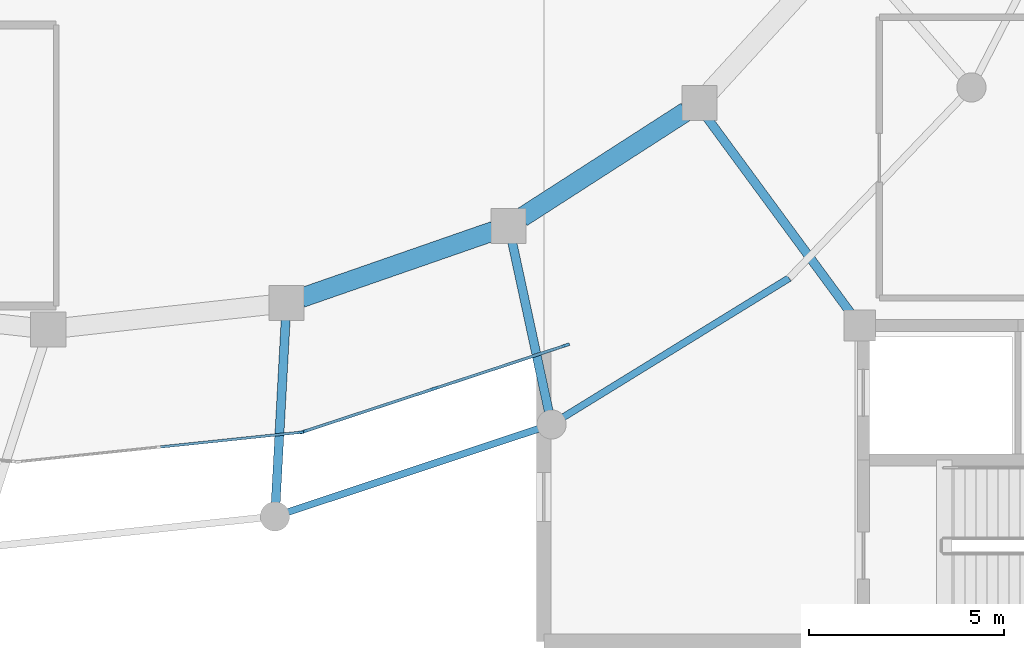
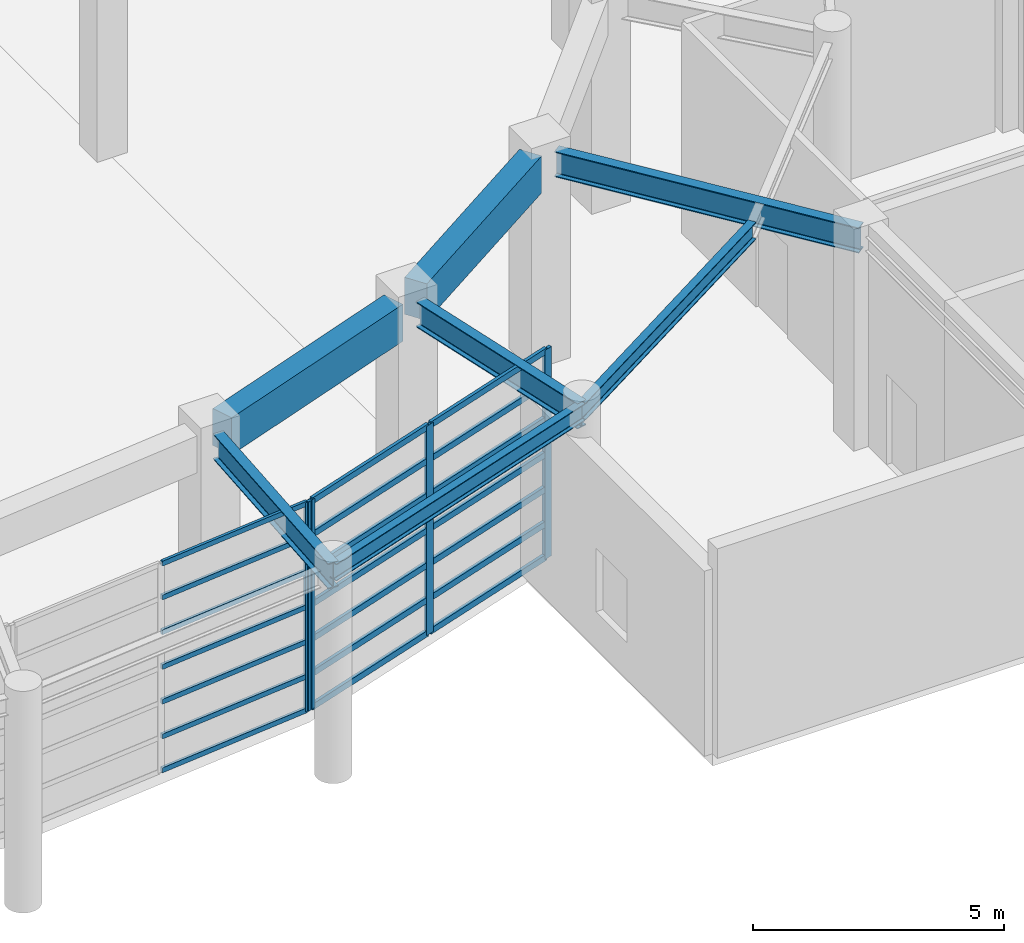
# One storey, part 4 of 52: 25 members, 7 beams, 2 elements without a shape of their own.
"""IFC4 building model written with IfcOpenShell, lengths in metres."""

from ifc_helpers import new_model, si_unit, direction, frame, origin, origin_2d, place, context, subcontext, project, spatial, rectangle, i_section, extrude, material, material_profile, profile_set, type_object, element, aggregate, save


model = new_model("IFC4")

# Units and contexts
model_context = context("Model", 3, precision=1e-05, world=origin(), true_north=direction((0.0, 1.0)))
body_context = subcontext(model_context, "Body", "Model", "MODEL_VIEW")
ifc_project = project(units=[si_unit("LENGTHUNIT", "METRE"), si_unit("AREAUNIT", "SQUARE_METRE"), si_unit("VOLUMEUNIT", "CUBIC_METRE"), si_unit("PLANEANGLEUNIT", "RADIAN"), si_unit("MASSUNIT", "GRAM", prefix="KILO")], contexts=[model_context])

# Site, building, storey
site_placement = place(None, origin())
site = spatial("IfcSite", under=ifc_project, at=site_placement, CompositionType="ELEMENT")
building_placement = place(site_placement, origin())
building = spatial("IfcBuilding", under=site, at=building_placement, Name="Parian Resonance Hall", CompositionType="ELEMENT")
storey_placement = place(building_placement, origin())
storey = spatial("IfcBuildingStorey", under=building, at=storey_placement, Name="L00", CompositionType="ELEMENT", Elevation=0.0)

# Beams
ifc_material_1 = material(Name="Concrete C40/50", Category="concrete")
ifc_material_profile_1 = material_profile(ifc_material_1, rectangle(XDim=0.5, YDim=0.89990234375, at=origin_2d()), Name="RC-BM-500x900")
ifc_profile_set_1 = profile_set([ifc_material_profile_1], Name="Concrete C40/50")
beam_type_1 = type_object("IfcBeamType", Name="BM-RC500x900", PredefinedType="USERDEFINED", material=ifc_profile_set_1)
beam_1_placement = place(storey_placement, frame((50.48583984375, 25.006103515625, 4.679931640625), z_axis=(0.944593815742, 0.328241562362, 0.0), x_axis=(-0.328241562362, 0.944593815742, 0.0)))
element("IfcBeam", 1, at=beam_1_placement, inside=storey, type_object=beam_type_1, Name="Concert hall drum ring beam L00-20", ObjectType="GIRDER", PredefinedType="USERDEFINED", context=body_context, shape_type="SweptSolid", body=[
    extrude(rectangle(XDim=0.5, YDim=0.89990234375, at=origin_2d()), origin(), (0.0, 0.0, 1.0), 5.225830078125),
])
beam_2_placement = place(storey_placement, frame((56.13623046875, 27.069091796875, 4.679931640625), z_axis=(0.840822266108, 0.541311293819, 0.0), x_axis=(-0.541311293819, 0.840822266108, 0.0)))
element("IfcBeam", 2, at=beam_2_placement, inside=storey, type_object=beam_type_1, Name="Concert hall drum ring beam L00-21", ObjectType="GIRDER", PredefinedType="USERDEFINED", context=body_context, shape_type="SweptSolid", body=[
    extrude(rectangle(XDim=0.5, YDim=0.89990234375, at=origin_2d()), origin(), (0.0, 0.0, 1.0), 5.012939453125),
])
ifc_material_2 = material(Name="Steel S355", Category="steel")
ifc_material_profile_2 = material_profile(ifc_material_2, i_section(OverallWidth=0.180908203125, OverallDepth=0.4169921875, WebThickness=0.010986328125, FlangeThickness=0.018310546875, FilletRadius=0.01513671875, at=origin_2d()), Name="W410x85")
ifc_profile_set_2 = profile_set([ifc_material_profile_2], Name="Steel S355")
beam_type_2 = type_object("IfcBeamType", Name="BM-W410x85", PredefinedType="SPANDREL", material=ifc_profile_set_2)
beam_3_placement = place(storey_placement, frame((49.809326171875, 19.404296875, 4.92138671875), z_axis=(0.948928062294, 0.315492523827, 0.0), x_axis=(-0.315492523827, 0.948928062294, 0.0)))
element("IfcBeam", 3, at=beam_3_placement, inside=storey, type_object=beam_type_2, Name="Elliptical R1 perimeter spandrel beam 20", PredefinedType="SPANDREL", context=body_context, shape_type="SweptSolid", body=[
    extrude(i_section(OverallWidth=0.180908203125, OverallDepth=0.4169921875, WebThickness=0.010986328125, FlangeThickness=0.018310546875, FilletRadius=0.01513671875, at=origin_2d()), origin(), (0.0, 0.0, 1.0), 7.47216796875),
])
beam_4_placement = place(storey_placement, frame((56.89990234375, 21.76171875, 4.92138671875), z_axis=(0.851449608459, 0.52443642537, 0.0), x_axis=(-0.52443642537, 0.851449608459, 0.0)))
element("IfcBeam", 4, at=beam_4_placement, inside=storey, type_object=beam_type_2, Name="Elliptical R1 perimeter spandrel beam 21", PredefinedType="SPANDREL", context=body_context, shape_type="SweptSolid", body=[
    extrude(i_section(OverallWidth=0.180908203125, OverallDepth=0.4169921875, WebThickness=0.010986328125, FlangeThickness=0.018310546875, FilletRadius=0.01513671875, at=origin_2d()), origin(), (0.0, 0.0, 1.0), 7.1513671875),
])
ifc_material_3 = material(Name="Steel S355", Category="steel")
ifc_material_profile_3 = material_profile(ifc_material_3, i_section(OverallWidth=0.22998046875, OverallDepth=0.616943359375, WebThickness=0.01318359375, FlangeThickness=0.022216796875, FilletRadius=0.017822265625, at=origin_2d()), Name="W610x140")
ifc_profile_set_3 = profile_set([ifc_material_profile_3], Name="Steel S355")
beam_type_3 = type_object("IfcBeamType", Name="CG1 W610x140", PredefinedType="USERDEFINED", material=ifc_profile_set_3)
beam_5_placement = place(storey_placement, frame((50.086181640625, 24.475341796875, 4.821533203125), z_axis=(-0.054514165852, -0.998512997272, 0.0), x_axis=(0.998512997272, -0.054514165852, 0.0)))
element("IfcBeam", 5, at=beam_5_placement, inside=storey, type_object=beam_type_3, Name="Radial spine girder R1-20", ObjectType="GIRDER", PredefinedType="USERDEFINED", context=body_context, shape_type="SweptSolid", body=[
    extrude(i_section(OverallWidth=0.22998046875, OverallDepth=0.616943359375, WebThickness=0.01318359375, FlangeThickness=0.022216796875, FilletRadius=0.017822265625, at=origin_2d()), origin(), (0.0, 0.0, 1.0), 5.07861328125),
])
beam_6_placement = place(storey_placement, frame((55.884521484375, 26.461669921875, 4.821533203125), z_axis=(0.211168916854, -0.977449583638, 0.0), x_axis=(0.977449583638, 0.211168916854, 0.0)))
element("IfcBeam", 6, at=beam_6_placement, inside=storey, type_object=beam_type_3, Name="Radial spine girder R1-21", ObjectType="GIRDER", PredefinedType="USERDEFINED", context=body_context, shape_type="SweptSolid", body=[
    extrude(i_section(OverallWidth=0.22998046875, OverallDepth=0.616943359375, WebThickness=0.01318359375, FlangeThickness=0.022216796875, FilletRadius=0.017822265625, at=origin_2d()), origin(), (0.0, 0.0, 1.0), 4.808349609375),
])
beam_7_placement = place(storey_placement, frame((60.8701171875, 29.643310546875, 4.821533203125), z_axis=(0.592494441402, -0.805574538394, 0.0), x_axis=(0.805574538394, 0.592494441402, 0.0)))
element("IfcBeam", 7, at=beam_7_placement, inside=storey, type_object=beam_type_3, Name="Radial spine girder R1-22", ObjectType="GIRDER", PredefinedType="USERDEFINED", context=body_context, shape_type="SweptSolid", body=[
    extrude(i_section(OverallWidth=0.22998046875, OverallDepth=0.616943359375, WebThickness=0.01318359375, FlangeThickness=0.022216796875, FilletRadius=0.017822265625, at=origin_2d()), origin(), (0.0, 0.0, 1.0), 6.6328125),
])

# Curtain wall, member
ifc_material_4 = material(Name="Bronze-anodised aluminium frame", Category="aluminium")
curtain_wall_type_1 = type_object("IfcCurtainWallType", Name="CW-SYS-01", PredefinedType="NOTDEFINED", material=ifc_material_4)
curtain_wall_1_placement = place(storey_placement, origin())
curtain_wall_1 = element("IfcCurtainWall", 8, at=curtain_wall_1_placement, inside=storey, type_object=curtain_wall_type_1, Name="Grand foyer recessed base curtain wall 19", PredefinedType="NOTDEFINED")
ifc_material_5 = material(Name="Bronze-anodised aluminium frame", Category="aluminium")
ifc_material_profile_4 = material_profile(ifc_material_5, rectangle(XDim=0.06494140625, YDim=0.159912109375, at=origin_2d()), Name="CWM-65x160")
ifc_profile_set_4 = profile_set([ifc_material_profile_4], Name="Bronze-anodised aluminium frame")
member_type_1 = type_object("IfcMemberType", Name="CWM-65x160", PredefinedType="MULLION", material=ifc_profile_set_4)
member_1_placement = place(storey_placement, frame((50.46630859375, 21.559814453125, -0.008056640625), z_axis=(0.0, 0.0, 1.0), x_axis=(0.104013017637, -0.994575935845, 0.0)))
member_1 = element("IfcMember", 9, at=member_1_placement, type_object=member_type_1, Name="CW-01 mullion 1", PredefinedType="MULLION", context=body_context, shape_type="SweptSolid", body=[
    extrude(rectangle(XDim=0.06494140625, YDim=0.159912109375, at=origin_2d()), origin(), (0.0, 0.0, 1.0), 5.09814453125),
])

# Curtain wall, members
ifc_material_6 = material(Name="Bronze-anodised aluminium frame", Category="aluminium")
curtain_wall_type_2 = type_object("IfcCurtainWallType", Name="CW-SYS-02", PredefinedType="NOTDEFINED", material=ifc_material_6)
curtain_wall_2_placement = place(storey_placement, origin())
curtain_wall_2 = element("IfcCurtainWall", 10, at=curtain_wall_2_placement, inside=storey, type_object=curtain_wall_type_2, Name="Grand foyer recessed base curtain wall 20", PredefinedType="NOTDEFINED")
ifc_material_7 = material(Name="Bronze-anodised aluminium frame", Category="aluminium")
ifc_material_profile_5 = material_profile(ifc_material_7, rectangle(XDim=0.074951171875, YDim=0.199951171875, at=origin_2d()), Name="CWM-75x200")
ifc_profile_set_5 = profile_set([ifc_material_profile_5], Name="Bronze-anodised aluminium frame")
member_type_2 = type_object("IfcMemberType", Name="CWM-75x200", PredefinedType="MULLION", material=ifc_profile_set_5)
member_2_placement = place(storey_placement, frame((57.264404296875, 23.789306640625, -0.008056640625), z_axis=(0.0, 0.0, 1.0), x_axis=(0.312529813739, -0.94990795108, 0.0)))
member_2 = element("IfcMember", 11, at=member_2_placement, type_object=member_type_2, Name="CW-02 mullion 1", PredefinedType="MULLION", context=body_context, shape_type="SweptSolid", body=[
    extrude(rectangle(XDim=0.074951171875, YDim=0.199951171875, at=origin_2d()), origin(), (0.0, 0.0, 1.0), 5.09814453125),
])
member_3_placement = place(storey_placement, frame((53.8994140625, 22.68212890625, -0.008056640625), z_axis=(0.0, 0.0, 1.0), x_axis=(0.312529813739, -0.94990795108, 0.0)))
member_3 = element("IfcMember", 12, at=member_3_placement, type_object=member_type_2, Name="CW-02 mullion 2", PredefinedType="MULLION", context=body_context, shape_type="SweptSolid", body=[
    extrude(rectangle(XDim=0.074951171875, YDim=0.199951171875, at=origin_2d()), origin(), (0.0, 0.0, 1.0), 5.09814453125),
])
member_4_placement = place(storey_placement, frame((50.534423828125, 21.574951171875, -0.008056640625), z_axis=(0.0, 0.0, 1.0), x_axis=(0.312529813739, -0.94990795108, 0.0)))
member_4 = element("IfcMember", 13, at=member_4_placement, type_object=member_type_2, Name="CW-02 mullion 3", PredefinedType="MULLION", context=body_context, shape_type="SweptSolid", body=[
    extrude(rectangle(XDim=0.074951171875, YDim=0.199951171875, at=origin_2d()), origin(), (0.0, 0.0, 1.0), 5.09814453125),
])

# Member
ifc_material_8 = material(Name="Bronze-anodised aluminium frame", Category="aluminium")
ifc_material_profile_6 = material_profile(ifc_material_8, rectangle(XDim=0.06494140625, YDim=0.1201171875, at=origin_2d()), Name="CWT-65x120")
ifc_profile_set_6 = profile_set([ifc_material_profile_6], Name="Bronze-anodised aluminium frame")
member_type_3 = type_object("IfcMemberType", Name="CWT-65x120", PredefinedType="USERDEFINED", material=ifc_profile_set_6)
member_5_placement = place(storey_placement, frame((50.43408203125, 21.556640625, 0.0244140625), z_axis=(-0.994574150143, -0.104030091163, 0.0), x_axis=(0.104030091163, -0.994574150143, 0.0)))
member_5 = element("IfcMember", 14, at=member_5_placement, type_object=member_type_3, Name="CW-01 transom 1.1", ObjectType="TRANSOM", PredefinedType="USERDEFINED", context=body_context, shape_type="SweptSolid", body=[
    extrude(rectangle(XDim=0.06494140625, YDim=0.1201171875, at=origin_2d()), origin(), (0.0, 0.0, 1.0), 3.57177734375),
])

member_6_placement = place(storey_placement, frame((50.43408203125, 21.556640625, 0.8466796875), z_axis=(-0.994574150143, -0.104030091163, 0.0), x_axis=(0.104030091163, -0.994574150143, 0.0)))
member_6 = element("IfcMember", 15, at=member_6_placement, type_object=member_type_3, Name="CW-01 transom 1.2", ObjectType="TRANSOM", PredefinedType="USERDEFINED", context=body_context, shape_type="SweptSolid", body=[
    extrude(rectangle(XDim=0.06494140625, YDim=0.1201171875, at=origin_2d()), origin(), (0.0, 0.0, 1.0), 3.57177734375),
])

member_7_placement = place(storey_placement, frame((50.43408203125, 21.556640625, 1.693359375), z_axis=(-0.994574150143, -0.104030091163, 0.0), x_axis=(0.104030091163, -0.994574150143, 0.0)))
member_7 = element("IfcMember", 16, at=member_7_placement, type_object=member_type_3, Name="CW-01 transom 1.3", ObjectType="TRANSOM", PredefinedType="USERDEFINED", context=body_context, shape_type="SweptSolid", body=[
    extrude(rectangle(XDim=0.06494140625, YDim=0.1201171875, at=origin_2d()), origin(), (0.0, 0.0, 1.0), 3.57177734375),
])

member_8_placement = place(storey_placement, frame((50.43408203125, 21.556640625, 2.5400390625), z_axis=(-0.994574150143, -0.104030091163, 0.0), x_axis=(0.104030091163, -0.994574150143, 0.0)))
member_8 = element("IfcMember", 17, at=member_8_placement, type_object=member_type_3, Name="CW-01 transom 1.4", ObjectType="TRANSOM", PredefinedType="USERDEFINED", context=body_context, shape_type="SweptSolid", body=[
    extrude(rectangle(XDim=0.06494140625, YDim=0.1201171875, at=origin_2d()), origin(), (0.0, 0.0, 1.0), 3.57177734375),
])

member_9_placement = place(storey_placement, frame((50.43408203125, 21.556640625, 3.38671875), z_axis=(-0.994574150143, -0.104030091163, 0.0), x_axis=(0.104030091163, -0.994574150143, 0.0)))
member_9 = element("IfcMember", 18, at=member_9_placement, type_object=member_type_3, Name="CW-01 transom 1.5", ObjectType="TRANSOM", PredefinedType="USERDEFINED", context=body_context, shape_type="SweptSolid", body=[
    extrude(rectangle(XDim=0.06494140625, YDim=0.1201171875, at=origin_2d()), origin(), (0.0, 0.0, 1.0), 3.57177734375),
])

member_10_placement = place(storey_placement, frame((50.43408203125, 21.556640625, 4.2333984375), z_axis=(-0.994574150143, -0.104030091163, 0.0), x_axis=(0.104030091163, -0.994574150143, 0.0)))
member_10 = element("IfcMember", 19, at=member_10_placement, type_object=member_type_3, Name="CW-01 transom 1.6", ObjectType="TRANSOM", PredefinedType="USERDEFINED", context=body_context, shape_type="SweptSolid", body=[
    extrude(rectangle(XDim=0.06494140625, YDim=0.1201171875, at=origin_2d()), origin(), (0.0, 0.0, 1.0), 3.57177734375),
])

member_11_placement = place(storey_placement, frame((50.43408203125, 21.556640625, 5.0576171875), z_axis=(-0.994574150143, -0.104030091163, 0.0), x_axis=(0.104030091163, -0.994574150143, 0.0)))
member_11 = element("IfcMember", 20, at=member_11_placement, type_object=member_type_3, Name="CW-01 transom 1.7", ObjectType="TRANSOM", PredefinedType="USERDEFINED", context=body_context, shape_type="SweptSolid", body=[
    extrude(rectangle(XDim=0.06494140625, YDim=0.1201171875, at=origin_2d()), origin(), (0.0, 0.0, 1.0), 3.57177734375),
])

aggregate(curtain_wall_1, [member_1, member_5, member_6, member_7, member_8, member_9, member_10, member_11])

ifc_material_9 = material(Name="Bronze-anodised aluminium frame", Category="aluminium")
ifc_material_profile_7 = material_profile(ifc_material_9, rectangle(XDim=0.074951171875, YDim=0.14990234375, at=origin_2d()), Name="CWT-75x150")
ifc_profile_set_7 = profile_set([ifc_material_profile_7], Name="Bronze-anodised aluminium frame")
member_type_4 = type_object("IfcMemberType", Name="CWT-75x150", PredefinedType="USERDEFINED", material=ifc_profile_set_7)
member_12_placement = place(storey_placement, frame((57.228759765625, 23.777587890625, 0.029541015625), z_axis=(-0.94990131238, -0.312549990783, 0.0), x_axis=(0.312549990783, -0.94990131238, 0.0)))
member_12 = element("IfcMember", 21, at=member_12_placement, type_object=member_type_4, Name="CW-02 transom 1.1", ObjectType="TRANSOM", PredefinedType="USERDEFINED", context=body_context, shape_type="SweptSolid", body=[
    extrude(rectangle(XDim=0.074951171875, YDim=0.14990234375, at=origin_2d()), origin(), (0.0, 0.0, 1.0), 3.467529296875),
])

member_13_placement = place(storey_placement, frame((57.228759765625, 23.777587890625, 0.8466796875), z_axis=(-0.94990131238, -0.312549990783, 0.0), x_axis=(0.312549990783, -0.94990131238, 0.0)))
member_13 = element("IfcMember", 22, at=member_13_placement, type_object=member_type_4, Name="CW-02 transom 1.2", ObjectType="TRANSOM", PredefinedType="USERDEFINED", context=body_context, shape_type="SweptSolid", body=[
    extrude(rectangle(XDim=0.074951171875, YDim=0.14990234375, at=origin_2d()), origin(), (0.0, 0.0, 1.0), 3.467529296875),
])

member_14_placement = place(storey_placement, frame((57.228759765625, 23.777587890625, 1.693359375), z_axis=(-0.94990131238, -0.312549990783, 0.0), x_axis=(0.312549990783, -0.94990131238, 0.0)))
member_14 = element("IfcMember", 23, at=member_14_placement, type_object=member_type_4, Name="CW-02 transom 1.3", ObjectType="TRANSOM", PredefinedType="USERDEFINED", context=body_context, shape_type="SweptSolid", body=[
    extrude(rectangle(XDim=0.074951171875, YDim=0.14990234375, at=origin_2d()), origin(), (0.0, 0.0, 1.0), 3.467529296875),
])

member_15_placement = place(storey_placement, frame((57.228759765625, 23.777587890625, 2.5400390625), z_axis=(-0.94990131238, -0.312549990783, 0.0), x_axis=(0.312549990783, -0.94990131238, 0.0)))
member_15 = element("IfcMember", 24, at=member_15_placement, type_object=member_type_4, Name="CW-02 transom 1.4", ObjectType="TRANSOM", PredefinedType="USERDEFINED", context=body_context, shape_type="SweptSolid", body=[
    extrude(rectangle(XDim=0.074951171875, YDim=0.14990234375, at=origin_2d()), origin(), (0.0, 0.0, 1.0), 3.467529296875),
])

member_16_placement = place(storey_placement, frame((57.228759765625, 23.777587890625, 3.38671875), z_axis=(-0.94990131238, -0.312549990783, 0.0), x_axis=(0.312549990783, -0.94990131238, 0.0)))
member_16 = element("IfcMember", 25, at=member_16_placement, type_object=member_type_4, Name="CW-02 transom 1.5", ObjectType="TRANSOM", PredefinedType="USERDEFINED", context=body_context, shape_type="SweptSolid", body=[
    extrude(rectangle(XDim=0.074951171875, YDim=0.14990234375, at=origin_2d()), origin(), (0.0, 0.0, 1.0), 3.467529296875),
])

member_17_placement = place(storey_placement, frame((57.228759765625, 23.777587890625, 4.2333984375), z_axis=(-0.94990131238, -0.312549990783, 0.0), x_axis=(0.312549990783, -0.94990131238, 0.0)))
member_17 = element("IfcMember", 26, at=member_17_placement, type_object=member_type_4, Name="CW-02 transom 1.6", ObjectType="TRANSOM", PredefinedType="USERDEFINED", context=body_context, shape_type="SweptSolid", body=[
    extrude(rectangle(XDim=0.074951171875, YDim=0.14990234375, at=origin_2d()), origin(), (0.0, 0.0, 1.0), 3.467529296875),
])

member_18_placement = place(storey_placement, frame((57.228759765625, 23.777587890625, 5.052490234375), z_axis=(-0.94990131238, -0.312549990783, 0.0), x_axis=(0.312549990783, -0.94990131238, 0.0)))
member_18 = element("IfcMember", 27, at=member_18_placement, type_object=member_type_4, Name="CW-02 transom 1.7", ObjectType="TRANSOM", PredefinedType="USERDEFINED", context=body_context, shape_type="SweptSolid", body=[
    extrude(rectangle(XDim=0.074951171875, YDim=0.14990234375, at=origin_2d()), origin(), (0.0, 0.0, 1.0), 3.467529296875),
])

member_19_placement = place(storey_placement, frame((53.86376953125, 22.67041015625, 0.029541015625), z_axis=(-0.949908189867, -0.312529087965, 0.0), x_axis=(0.312529087965, -0.949908189867, 0.0)))
member_19 = element("IfcMember", 28, at=member_19_placement, type_object=member_type_4, Name="CW-02 transom 2.1", ObjectType="TRANSOM", PredefinedType="USERDEFINED", context=body_context, shape_type="SweptSolid", body=[
    extrude(rectangle(XDim=0.074951171875, YDim=0.14990234375, at=origin_2d()), origin(), (0.0, 0.0, 1.0), 3.467529296875),
])

member_20_placement = place(storey_placement, frame((53.86376953125, 22.67041015625, 0.8466796875), z_axis=(-0.949908189867, -0.312529087965, 0.0), x_axis=(0.312529087965, -0.949908189867, 0.0)))
member_20 = element("IfcMember", 29, at=member_20_placement, type_object=member_type_4, Name="CW-02 transom 2.2", ObjectType="TRANSOM", PredefinedType="USERDEFINED", context=body_context, shape_type="SweptSolid", body=[
    extrude(rectangle(XDim=0.074951171875, YDim=0.14990234375, at=origin_2d()), origin(), (0.0, 0.0, 1.0), 3.467529296875),
])

member_21_placement = place(storey_placement, frame((53.86376953125, 22.67041015625, 1.693359375), z_axis=(-0.949908189867, -0.312529087965, 0.0), x_axis=(0.312529087965, -0.949908189867, 0.0)))
member_21 = element("IfcMember", 30, at=member_21_placement, type_object=member_type_4, Name="CW-02 transom 2.3", ObjectType="TRANSOM", PredefinedType="USERDEFINED", context=body_context, shape_type="SweptSolid", body=[
    extrude(rectangle(XDim=0.074951171875, YDim=0.14990234375, at=origin_2d()), origin(), (0.0, 0.0, 1.0), 3.467529296875),
])

member_22_placement = place(storey_placement, frame((53.86376953125, 22.67041015625, 2.5400390625), z_axis=(-0.949908189867, -0.312529087965, 0.0), x_axis=(0.312529087965, -0.949908189867, 0.0)))
member_22 = element("IfcMember", 31, at=member_22_placement, type_object=member_type_4, Name="CW-02 transom 2.4", ObjectType="TRANSOM", PredefinedType="USERDEFINED", context=body_context, shape_type="SweptSolid", body=[
    extrude(rectangle(XDim=0.074951171875, YDim=0.14990234375, at=origin_2d()), origin(), (0.0, 0.0, 1.0), 3.467529296875),
])

member_23_placement = place(storey_placement, frame((53.86376953125, 22.67041015625, 3.38671875), z_axis=(-0.949908189867, -0.312529087965, 0.0), x_axis=(0.312529087965, -0.949908189867, 0.0)))
member_23 = element("IfcMember", 32, at=member_23_placement, type_object=member_type_4, Name="CW-02 transom 2.5", ObjectType="TRANSOM", PredefinedType="USERDEFINED", context=body_context, shape_type="SweptSolid", body=[
    extrude(rectangle(XDim=0.074951171875, YDim=0.14990234375, at=origin_2d()), origin(), (0.0, 0.0, 1.0), 3.467529296875),
])

member_24_placement = place(storey_placement, frame((53.86376953125, 22.67041015625, 4.2333984375), z_axis=(-0.949908189867, -0.312529087965, 0.0), x_axis=(0.312529087965, -0.949908189867, 0.0)))
member_24 = element("IfcMember", 33, at=member_24_placement, type_object=member_type_4, Name="CW-02 transom 2.6", ObjectType="TRANSOM", PredefinedType="USERDEFINED", context=body_context, shape_type="SweptSolid", body=[
    extrude(rectangle(XDim=0.074951171875, YDim=0.14990234375, at=origin_2d()), origin(), (0.0, 0.0, 1.0), 3.467529296875),
])

member_25_placement = place(storey_placement, frame((53.86376953125, 22.67041015625, 5.052490234375), z_axis=(-0.949908189867, -0.312529087965, 0.0), x_axis=(0.312529087965, -0.949908189867, 0.0)))
member_25 = element("IfcMember", 34, at=member_25_placement, type_object=member_type_4, Name="CW-02 transom 2.7", ObjectType="TRANSOM", PredefinedType="USERDEFINED", context=body_context, shape_type="SweptSolid", body=[
    extrude(rectangle(XDim=0.074951171875, YDim=0.14990234375, at=origin_2d()), origin(), (0.0, 0.0, 1.0), 3.467529296875),
])

aggregate(curtain_wall_2, [member_2, member_3, member_4, member_12, member_13, member_14, member_15, member_16, member_17, member_18, member_19, member_20, member_21, member_22, member_23, member_24, member_25])

save(model, "model.ifc")
